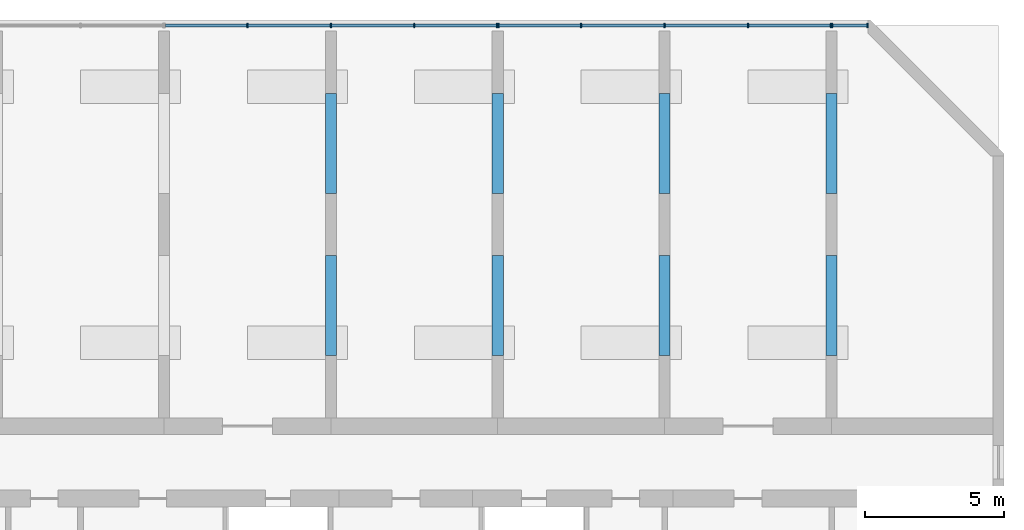
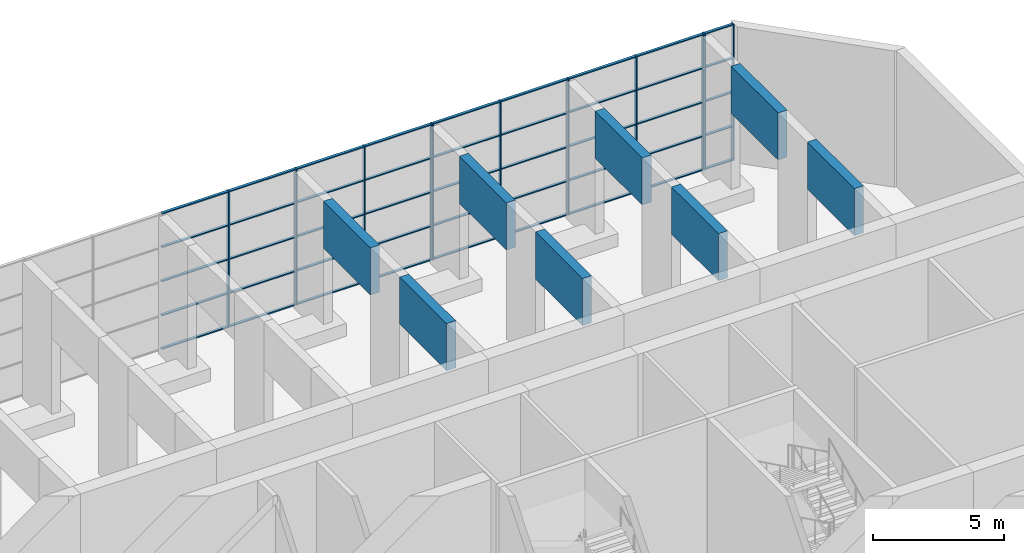
# One storey, part 3 of 15: 56 members, 8 beams, 3 elements without a shape of their own.
"""IFC4 building model written with IfcOpenShell, lengths in metres."""

from ifc_helpers import new_model, si_unit, direction, frame, origin, origin_2d, place, context, subcontext, project, spatial, rectangle, extrude, source, transform, mapped, material, layer, layer_set, material_profile, profile_set, type_object, element, aggregate, save


model = new_model("IFC4")

# Units and contexts
model_context = context("Model", 3, precision=1e-05, world=origin(), true_north=direction((0.0, 1.0)))
body_context = subcontext(model_context, "Body", "Model", "MODEL_VIEW")
ifc_project = project(units=[si_unit("LENGTHUNIT", "METRE"), si_unit("AREAUNIT", "SQUARE_METRE"), si_unit("VOLUMEUNIT", "CUBIC_METRE"), si_unit("PLANEANGLEUNIT", "RADIAN"), si_unit("MASSUNIT", "GRAM", prefix="KILO")], contexts=[model_context])

# Site, building, storey
site_placement = place(None, origin())
site = spatial("IfcSite", under=ifc_project, at=site_placement, CompositionType="ELEMENT")
building_placement = place(site_placement, origin())
building = spatial("IfcBuilding", under=site, at=building_placement, Name="Poui Terraces", CompositionType="ELEMENT")
storey_placement = place(building_placement, frame((0.0, 0.0, 66.300048828125)))
storey = spatial("IfcBuildingStorey", under=building, at=storey_placement, Name="L18", CompositionType="ELEMENT", Elevation=66.300048828125)

# Curtain wall, members
ifc_material_1 = material(Name="Clear glass", Category="glass")
ifc_layer = layer(ifc_material_1, 0.159912109375)
ifc_layer_set = layer_set([ifc_layer], Name="Clear glass")
curtain_wall_type = type_object("IfcCurtainWallType", Name="CURTAIN WALL CW-D SKY GARDEN GLAZING", PredefinedType="NOTDEFINED", material=ifc_layer_set)
curtain_wall_1_placement = place(storey_placement, origin())
curtain_wall_1 = element("IfcCurtainWall", 1, at=curtain_wall_1_placement, inside=storey, type_object=curtain_wall_type, Name="CW-D SKY GARDEN GLAZING", PredefinedType="NOTDEFINED")
ifc_material_2 = material(Name="Aluminium frame", Category="aluminium")
ifc_material_profile_1 = material_profile(ifc_material_2, rectangle(XDim=0.159912109375, YDim=0.050048828125, at=origin_2d()), Name="CW-D MULLION 50X160")
ifc_profile_set_1 = profile_set([ifc_material_profile_1], Name="Aluminium frame")
member_type_1 = type_object("IfcMemberType", Name="CW-D MULLION 50X160", PredefinedType="MULLION", material=ifc_profile_set_1)
member_1_placement = place(storey_placement, frame((77.97509765625, 44.800048828125, 0.0), z_axis=(0.0, 0.0, 1.0), x_axis=(0.0, -1.0, 0.0)))
member_1 = element("IfcMember", 2, at=member_1_placement, type_object=member_type_1, Name="CW-D mullion 1", PredefinedType="MULLION", context=body_context, shape_type="SweptSolid", body=[
    extrude(rectangle(XDim=0.159912109375, YDim=0.050048828125, at=origin_2d()), origin(), (0.0, 0.0, 1.0), 6.35986328125),
])
member_2_placement = place(storey_placement, frame((75.0, 44.800048828125, 0.0), z_axis=(0.0, 0.0, 1.0), x_axis=(0.0, -1.0, 0.0)))
member_2 = element("IfcMember", 3, at=member_2_placement, type_object=member_type_1, Name="CW-D mullion 2", PredefinedType="MULLION", context=body_context, shape_type="SweptSolid", body=[
    extrude(rectangle(XDim=0.159912109375, YDim=0.050048828125, at=origin_2d()), origin(), (0.0, 0.0, 1.0), 6.35986328125),
])
member_3_placement = place(storey_placement, frame((72.0, 44.800048828125, 0.0), z_axis=(0.0, 0.0, 1.0), x_axis=(0.0, -1.0, 0.0)))
member_3 = element("IfcMember", 4, at=member_3_placement, type_object=member_type_1, Name="CW-D mullion 3", PredefinedType="MULLION", context=body_context, shape_type="SweptSolid", body=[
    extrude(rectangle(XDim=0.159912109375, YDim=0.050048828125, at=origin_2d()), origin(), (0.0, 0.0, 1.0), 6.35986328125),
])
member_4_placement = place(storey_placement, frame((69.0, 44.800048828125, 0.0), z_axis=(0.0, 0.0, 1.0), x_axis=(0.0, -1.0, 0.0)))
member_4 = element("IfcMember", 5, at=member_4_placement, type_object=member_type_1, Name="CW-D mullion 4", PredefinedType="MULLION", context=body_context, shape_type="SweptSolid", body=[
    extrude(rectangle(XDim=0.159912109375, YDim=0.050048828125, at=origin_2d()), origin(), (0.0, 0.0, 1.0), 6.35986328125),
])

curtain_wall_2_placement = place(storey_placement, origin())
curtain_wall_2 = element("IfcCurtainWall", 6, at=curtain_wall_2_placement, inside=storey, type_object=curtain_wall_type, Name="CW-D SKY GARDEN GLAZING", PredefinedType="NOTDEFINED")
member_5_placement = place(storey_placement, frame((89.97509765625, 44.800048828125, 0.0), z_axis=(0.0, 0.0, 1.0), x_axis=(0.0, -1.0, 0.0)))
member_5 = element("IfcMember", 7, at=member_5_placement, type_object=member_type_1, Name="CW-D mullion 1", PredefinedType="MULLION", context=body_context, shape_type="SweptSolid", body=[
    extrude(rectangle(XDim=0.159912109375, YDim=0.050048828125, at=origin_2d()), origin(), (0.0, 0.0, 1.0), 6.35986328125),
])
member_6_placement = place(storey_placement, frame((87.0, 44.800048828125, 0.0), z_axis=(0.0, 0.0, 1.0), x_axis=(0.0, -1.0, 0.0)))
member_6 = element("IfcMember", 8, at=member_6_placement, type_object=member_type_1, Name="CW-D mullion 2", PredefinedType="MULLION", context=body_context, shape_type="SweptSolid", body=[
    extrude(rectangle(XDim=0.159912109375, YDim=0.050048828125, at=origin_2d()), origin(), (0.0, 0.0, 1.0), 6.35986328125),
])
member_7_placement = place(storey_placement, frame((84.0, 44.800048828125, 0.0), z_axis=(0.0, 0.0, 1.0), x_axis=(0.0, -1.0, 0.0)))
member_7 = element("IfcMember", 9, at=member_7_placement, type_object=member_type_1, Name="CW-D mullion 3", PredefinedType="MULLION", context=body_context, shape_type="SweptSolid", body=[
    extrude(rectangle(XDim=0.159912109375, YDim=0.050048828125, at=origin_2d()), origin(), (0.0, 0.0, 1.0), 6.35986328125),
])
member_8_placement = place(storey_placement, frame((81.0, 44.800048828125, 0.0), z_axis=(0.0, 0.0, 1.0), x_axis=(0.0, -1.0, 0.0)))
member_8 = element("IfcMember", 10, at=member_8_placement, type_object=member_type_1, Name="CW-D mullion 4", PredefinedType="MULLION", context=body_context, shape_type="SweptSolid", body=[
    extrude(rectangle(XDim=0.159912109375, YDim=0.050048828125, at=origin_2d()), origin(), (0.0, 0.0, 1.0), 6.35986328125),
])
member_9_placement = place(storey_placement, frame((78.02490234375, 44.800048828125, 0.0), z_axis=(0.0, 0.0, 1.0), x_axis=(0.0, -1.0, 0.0)))
member_9 = element("IfcMember", 11, at=member_9_placement, type_object=member_type_1, Name="CW-D mullion 5", PredefinedType="MULLION", context=body_context, shape_type="SweptSolid", body=[
    extrude(rectangle(XDim=0.159912109375, YDim=0.050048828125, at=origin_2d()), origin(), (0.0, 0.0, 1.0), 6.35986328125),
])

curtain_wall_3_placement = place(storey_placement, origin())
curtain_wall_3 = element("IfcCurtainWall", 12, at=curtain_wall_3_placement, inside=storey, type_object=curtain_wall_type, Name="CW-D SKY GARDEN GLAZING", PredefinedType="NOTDEFINED")
member_10_placement = place(storey_placement, frame((91.292236328125, 44.800048828125, 0.0), z_axis=(0.0, 0.0, 1.0), x_axis=(0.0, -1.0, 0.0)))
member_10 = element("IfcMember", 13, at=member_10_placement, type_object=member_type_1, Name="CW-D mullion 1", PredefinedType="MULLION", context=body_context, shape_type="SweptSolid", body=[
    extrude(rectangle(XDim=0.159912109375, YDim=0.050048828125, at=origin_2d()), origin(), (0.0, 0.0, 1.0), 6.35986328125),
])
member_11_placement = place(storey_placement, frame((90.02490234375, 44.800048828125, 0.0), z_axis=(0.0, 0.0, 1.0), x_axis=(0.0, -1.0, 0.0)))
member_11 = element("IfcMember", 14, at=member_11_placement, type_object=member_type_1, Name="CW-D mullion 2", PredefinedType="MULLION", context=body_context, shape_type="SweptSolid", body=[
    extrude(rectangle(XDim=0.159912109375, YDim=0.050048828125, at=origin_2d()), origin(), (0.0, 0.0, 1.0), 6.35986328125),
])

# Member
ifc_material_profile_2 = material_profile(ifc_material_2, rectangle(XDim=0.1201171875, YDim=0.050048828125, at=origin_2d()), Name="CW-D TRANSOM 50X120")
ifc_profile_set_2 = profile_set([ifc_material_profile_2], Name="Aluminium frame")
member_type_2 = type_object("IfcMemberType", Name="CW-D TRANSOM 50X120", PredefinedType="USERDEFINED", material=ifc_profile_set_2)
member_12_placement = place(storey_placement, frame((77.949951171875, 44.800048828125, 0.02490234375), z_axis=(-1.0, 0.0, 0.0), x_axis=(0.0, -1.0, 0.0)))
member_12 = element("IfcMember", 15, at=member_12_placement, type_object=member_type_2, Name="CW-D transom 1.1", ObjectType="TRANSOM", PredefinedType="USERDEFINED", context=body_context, shape_type="SweptSolid", body=[
    extrude(rectangle(XDim=0.1201171875, YDim=0.050048828125, at=origin_2d()), origin(), (0.0, 0.0, 1.0), 2.925048828125),
])

member_13_placement = place(storey_placement, frame((77.949951171875, 44.800048828125, 1.58984375), z_axis=(-1.0, 0.0, 0.0), x_axis=(0.0, -1.0, 0.0)))
member_13 = element("IfcMember", 16, at=member_13_placement, type_object=member_type_2, Name="CW-D transom 1.2", ObjectType="TRANSOM", PredefinedType="USERDEFINED", context=body_context, shape_type="SweptSolid", body=[
    extrude(rectangle(XDim=0.1201171875, YDim=0.050048828125, at=origin_2d()), origin(), (0.0, 0.0, 1.0), 2.925048828125),
])

member_14_placement = place(storey_placement, frame((77.949951171875, 44.800048828125, 3.179931640625), z_axis=(-1.0, 0.0, 0.0), x_axis=(0.0, -1.0, 0.0)))
member_14 = element("IfcMember", 17, at=member_14_placement, type_object=member_type_2, Name="CW-D transom 1.3", ObjectType="TRANSOM", PredefinedType="USERDEFINED", context=body_context, shape_type="SweptSolid", body=[
    extrude(rectangle(XDim=0.1201171875, YDim=0.050048828125, at=origin_2d()), origin(), (0.0, 0.0, 1.0), 2.925048828125),
])

member_15_placement = place(storey_placement, frame((77.949951171875, 44.800048828125, 4.77001953125), z_axis=(-1.0, 0.0, 0.0), x_axis=(0.0, -1.0, 0.0)))
member_15 = element("IfcMember", 18, at=member_15_placement, type_object=member_type_2, Name="CW-D transom 1.4", ObjectType="TRANSOM", PredefinedType="USERDEFINED", context=body_context, shape_type="SweptSolid", body=[
    extrude(rectangle(XDim=0.1201171875, YDim=0.050048828125, at=origin_2d()), origin(), (0.0, 0.0, 1.0), 2.925048828125),
])

member_16_placement = place(storey_placement, frame((77.949951171875, 44.800048828125, 6.3349609375), z_axis=(-1.0, 0.0, 0.0), x_axis=(0.0, -1.0, 0.0)))
member_16 = element("IfcMember", 19, at=member_16_placement, type_object=member_type_2, Name="CW-D transom 1.5", ObjectType="TRANSOM", PredefinedType="USERDEFINED", context=body_context, shape_type="SweptSolid", body=[
    extrude(rectangle(XDim=0.1201171875, YDim=0.050048828125, at=origin_2d()), origin(), (0.0, 0.0, 1.0), 2.925048828125),
])

member_17_placement = place(storey_placement, frame((74.97509765625, 44.800048828125, 0.02490234375), z_axis=(-1.0, 0.0, 0.0), x_axis=(0.0, -1.0, 0.0)))
member_17 = element("IfcMember", 20, at=member_17_placement, type_object=member_type_2, Name="CW-D transom 2.1", ObjectType="TRANSOM", PredefinedType="USERDEFINED", context=body_context, shape_type="SweptSolid", body=[
    extrude(rectangle(XDim=0.1201171875, YDim=0.050048828125, at=origin_2d()), origin(), (0.0, 0.0, 1.0), 2.9501953125),
])

member_18_placement = place(storey_placement, frame((74.97509765625, 44.800048828125, 1.58984375), z_axis=(-1.0, 0.0, 0.0), x_axis=(0.0, -1.0, 0.0)))
member_18 = element("IfcMember", 21, at=member_18_placement, type_object=member_type_2, Name="CW-D transom 2.2", ObjectType="TRANSOM", PredefinedType="USERDEFINED", context=body_context, shape_type="SweptSolid", body=[
    extrude(rectangle(XDim=0.1201171875, YDim=0.050048828125, at=origin_2d()), origin(), (0.0, 0.0, 1.0), 2.9501953125),
])

member_19_placement = place(storey_placement, frame((74.97509765625, 44.800048828125, 3.179931640625), z_axis=(-1.0, 0.0, 0.0), x_axis=(0.0, -1.0, 0.0)))
member_19 = element("IfcMember", 22, at=member_19_placement, type_object=member_type_2, Name="CW-D transom 2.3", ObjectType="TRANSOM", PredefinedType="USERDEFINED", context=body_context, shape_type="SweptSolid", body=[
    extrude(rectangle(XDim=0.1201171875, YDim=0.050048828125, at=origin_2d()), origin(), (0.0, 0.0, 1.0), 2.9501953125),
])

member_20_placement = place(storey_placement, frame((74.97509765625, 44.800048828125, 4.77001953125), z_axis=(-1.0, 0.0, 0.0), x_axis=(0.0, -1.0, 0.0)))
member_20 = element("IfcMember", 23, at=member_20_placement, type_object=member_type_2, Name="CW-D transom 2.4", ObjectType="TRANSOM", PredefinedType="USERDEFINED", context=body_context, shape_type="SweptSolid", body=[
    extrude(rectangle(XDim=0.1201171875, YDim=0.050048828125, at=origin_2d()), origin(), (0.0, 0.0, 1.0), 2.9501953125),
])

member_21_placement = place(storey_placement, frame((74.97509765625, 44.800048828125, 6.3349609375), z_axis=(-1.0, 0.0, 0.0), x_axis=(0.0, -1.0, 0.0)))
member_21 = element("IfcMember", 24, at=member_21_placement, type_object=member_type_2, Name="CW-D transom 2.5", ObjectType="TRANSOM", PredefinedType="USERDEFINED", context=body_context, shape_type="SweptSolid", body=[
    extrude(rectangle(XDim=0.1201171875, YDim=0.050048828125, at=origin_2d()), origin(), (0.0, 0.0, 1.0), 2.9501953125),
])

member_22_placement = place(storey_placement, frame((71.97509765625, 44.800048828125, 0.02490234375), z_axis=(-1.0, 0.0, 0.0), x_axis=(0.0, -1.0, 0.0)))
member_22 = element("IfcMember", 25, at=member_22_placement, type_object=member_type_2, Name="CW-D transom 3.1", ObjectType="TRANSOM", PredefinedType="USERDEFINED", context=body_context, shape_type="SweptSolid", body=[
    extrude(rectangle(XDim=0.1201171875, YDim=0.050048828125, at=origin_2d()), origin(), (0.0, 0.0, 1.0), 2.9501953125),
])

member_23_placement = place(storey_placement, frame((71.97509765625, 44.800048828125, 1.58984375), z_axis=(-1.0, 0.0, 0.0), x_axis=(0.0, -1.0, 0.0)))
member_23 = element("IfcMember", 26, at=member_23_placement, type_object=member_type_2, Name="CW-D transom 3.2", ObjectType="TRANSOM", PredefinedType="USERDEFINED", context=body_context, shape_type="SweptSolid", body=[
    extrude(rectangle(XDim=0.1201171875, YDim=0.050048828125, at=origin_2d()), origin(), (0.0, 0.0, 1.0), 2.9501953125),
])

member_24_placement = place(storey_placement, frame((71.97509765625, 44.800048828125, 3.179931640625), z_axis=(-1.0, 0.0, 0.0), x_axis=(0.0, -1.0, 0.0)))
member_24 = element("IfcMember", 27, at=member_24_placement, type_object=member_type_2, Name="CW-D transom 3.3", ObjectType="TRANSOM", PredefinedType="USERDEFINED", context=body_context, shape_type="SweptSolid", body=[
    extrude(rectangle(XDim=0.1201171875, YDim=0.050048828125, at=origin_2d()), origin(), (0.0, 0.0, 1.0), 2.9501953125),
])

member_25_placement = place(storey_placement, frame((71.97509765625, 44.800048828125, 4.77001953125), z_axis=(-1.0, 0.0, 0.0), x_axis=(0.0, -1.0, 0.0)))
member_25 = element("IfcMember", 28, at=member_25_placement, type_object=member_type_2, Name="CW-D transom 3.4", ObjectType="TRANSOM", PredefinedType="USERDEFINED", context=body_context, shape_type="SweptSolid", body=[
    extrude(rectangle(XDim=0.1201171875, YDim=0.050048828125, at=origin_2d()), origin(), (0.0, 0.0, 1.0), 2.9501953125),
])

member_26_placement = place(storey_placement, frame((71.97509765625, 44.800048828125, 6.3349609375), z_axis=(-1.0, 0.0, 0.0), x_axis=(0.0, -1.0, 0.0)))
member_26 = element("IfcMember", 29, at=member_26_placement, type_object=member_type_2, Name="CW-D transom 3.5", ObjectType="TRANSOM", PredefinedType="USERDEFINED", context=body_context, shape_type="SweptSolid", body=[
    extrude(rectangle(XDim=0.1201171875, YDim=0.050048828125, at=origin_2d()), origin(), (0.0, 0.0, 1.0), 2.9501953125),
])

member_27_placement = place(storey_placement, frame((68.97509765625, 44.800048828125, 0.02490234375), z_axis=(-1.0, 0.0, 0.0), x_axis=(0.0, -1.0, 0.0)))
member_27 = element("IfcMember", 30, at=member_27_placement, type_object=member_type_2, Name="CW-D transom 4.1", ObjectType="TRANSOM", PredefinedType="USERDEFINED", context=body_context, shape_type="SweptSolid", body=[
    extrude(rectangle(XDim=0.1201171875, YDim=0.050048828125, at=origin_2d()), origin(), (0.0, 0.0, 1.0), 2.925048828125),
])

member_28_placement = place(storey_placement, frame((68.97509765625, 44.800048828125, 1.58984375), z_axis=(-1.0, 0.0, 0.0), x_axis=(0.0, -1.0, 0.0)))
member_28 = element("IfcMember", 31, at=member_28_placement, type_object=member_type_2, Name="CW-D transom 4.2", ObjectType="TRANSOM", PredefinedType="USERDEFINED", context=body_context, shape_type="SweptSolid", body=[
    extrude(rectangle(XDim=0.1201171875, YDim=0.050048828125, at=origin_2d()), origin(), (0.0, 0.0, 1.0), 2.925048828125),
])

member_29_placement = place(storey_placement, frame((68.97509765625, 44.800048828125, 3.179931640625), z_axis=(-1.0, 0.0, 0.0), x_axis=(0.0, -1.0, 0.0)))
member_29 = element("IfcMember", 32, at=member_29_placement, type_object=member_type_2, Name="CW-D transom 4.3", ObjectType="TRANSOM", PredefinedType="USERDEFINED", context=body_context, shape_type="SweptSolid", body=[
    extrude(rectangle(XDim=0.1201171875, YDim=0.050048828125, at=origin_2d()), origin(), (0.0, 0.0, 1.0), 2.925048828125),
])

member_30_placement = place(storey_placement, frame((68.97509765625, 44.800048828125, 4.77001953125), z_axis=(-1.0, 0.0, 0.0), x_axis=(0.0, -1.0, 0.0)))
member_30 = element("IfcMember", 33, at=member_30_placement, type_object=member_type_2, Name="CW-D transom 4.4", ObjectType="TRANSOM", PredefinedType="USERDEFINED", context=body_context, shape_type="SweptSolid", body=[
    extrude(rectangle(XDim=0.1201171875, YDim=0.050048828125, at=origin_2d()), origin(), (0.0, 0.0, 1.0), 2.925048828125),
])

member_31_placement = place(storey_placement, frame((68.97509765625, 44.800048828125, 6.3349609375), z_axis=(-1.0, 0.0, 0.0), x_axis=(0.0, -1.0, 0.0)))
member_31 = element("IfcMember", 34, at=member_31_placement, type_object=member_type_2, Name="CW-D transom 4.5", ObjectType="TRANSOM", PredefinedType="USERDEFINED", context=body_context, shape_type="SweptSolid", body=[
    extrude(rectangle(XDim=0.1201171875, YDim=0.050048828125, at=origin_2d()), origin(), (0.0, 0.0, 1.0), 2.925048828125),
])

aggregate(curtain_wall_1, [member_1, member_2, member_3, member_4, member_12, member_13, member_14, member_15, member_16, member_17, member_18, member_19, member_20, member_21, member_22, member_23, member_24, member_25, member_26, member_27, member_28, member_29, member_30, member_31])

member_32_placement = place(storey_placement, frame((89.949951171875, 44.800048828125, 0.02490234375), z_axis=(-1.0, 0.0, 0.0), x_axis=(0.0, -1.0, 0.0)))
member_32 = element("IfcMember", 35, at=member_32_placement, type_object=member_type_2, Name="CW-D transom 1.1", ObjectType="TRANSOM", PredefinedType="USERDEFINED", context=body_context, shape_type="SweptSolid", body=[
    extrude(rectangle(XDim=0.1201171875, YDim=0.050048828125, at=origin_2d()), origin(), (0.0, 0.0, 1.0), 2.925048828125),
])

member_33_placement = place(storey_placement, frame((89.949951171875, 44.800048828125, 1.58984375), z_axis=(-1.0, 0.0, 0.0), x_axis=(0.0, -1.0, 0.0)))
member_33 = element("IfcMember", 36, at=member_33_placement, type_object=member_type_2, Name="CW-D transom 1.2", ObjectType="TRANSOM", PredefinedType="USERDEFINED", context=body_context, shape_type="SweptSolid", body=[
    extrude(rectangle(XDim=0.1201171875, YDim=0.050048828125, at=origin_2d()), origin(), (0.0, 0.0, 1.0), 2.925048828125),
])

member_34_placement = place(storey_placement, frame((89.949951171875, 44.800048828125, 3.179931640625), z_axis=(-1.0, 0.0, 0.0), x_axis=(0.0, -1.0, 0.0)))
member_34 = element("IfcMember", 37, at=member_34_placement, type_object=member_type_2, Name="CW-D transom 1.3", ObjectType="TRANSOM", PredefinedType="USERDEFINED", context=body_context, shape_type="SweptSolid", body=[
    extrude(rectangle(XDim=0.1201171875, YDim=0.050048828125, at=origin_2d()), origin(), (0.0, 0.0, 1.0), 2.925048828125),
])

member_35_placement = place(storey_placement, frame((89.949951171875, 44.800048828125, 4.77001953125), z_axis=(-1.0, 0.0, 0.0), x_axis=(0.0, -1.0, 0.0)))
member_35 = element("IfcMember", 38, at=member_35_placement, type_object=member_type_2, Name="CW-D transom 1.4", ObjectType="TRANSOM", PredefinedType="USERDEFINED", context=body_context, shape_type="SweptSolid", body=[
    extrude(rectangle(XDim=0.1201171875, YDim=0.050048828125, at=origin_2d()), origin(), (0.0, 0.0, 1.0), 2.925048828125),
])

member_36_placement = place(storey_placement, frame((89.949951171875, 44.800048828125, 6.3349609375), z_axis=(-1.0, 0.0, 0.0), x_axis=(0.0, -1.0, 0.0)))
member_36 = element("IfcMember", 39, at=member_36_placement, type_object=member_type_2, Name="CW-D transom 1.5", ObjectType="TRANSOM", PredefinedType="USERDEFINED", context=body_context, shape_type="SweptSolid", body=[
    extrude(rectangle(XDim=0.1201171875, YDim=0.050048828125, at=origin_2d()), origin(), (0.0, 0.0, 1.0), 2.925048828125),
])

member_37_placement = place(storey_placement, frame((86.97509765625, 44.800048828125, 0.02490234375), z_axis=(-1.0, 0.0, 0.0), x_axis=(0.0, -1.0, 0.0)))
member_37 = element("IfcMember", 40, at=member_37_placement, type_object=member_type_2, Name="CW-D transom 2.1", ObjectType="TRANSOM", PredefinedType="USERDEFINED", context=body_context, shape_type="SweptSolid", body=[
    extrude(rectangle(XDim=0.1201171875, YDim=0.050048828125, at=origin_2d()), origin(), (0.0, 0.0, 1.0), 2.9501953125),
])

member_38_placement = place(storey_placement, frame((86.97509765625, 44.800048828125, 1.58984375), z_axis=(-1.0, 0.0, 0.0), x_axis=(0.0, -1.0, 0.0)))
member_38 = element("IfcMember", 41, at=member_38_placement, type_object=member_type_2, Name="CW-D transom 2.2", ObjectType="TRANSOM", PredefinedType="USERDEFINED", context=body_context, shape_type="SweptSolid", body=[
    extrude(rectangle(XDim=0.1201171875, YDim=0.050048828125, at=origin_2d()), origin(), (0.0, 0.0, 1.0), 2.9501953125),
])

member_39_placement = place(storey_placement, frame((86.97509765625, 44.800048828125, 3.179931640625), z_axis=(-1.0, 0.0, 0.0), x_axis=(0.0, -1.0, 0.0)))
member_39 = element("IfcMember", 42, at=member_39_placement, type_object=member_type_2, Name="CW-D transom 2.3", ObjectType="TRANSOM", PredefinedType="USERDEFINED", context=body_context, shape_type="SweptSolid", body=[
    extrude(rectangle(XDim=0.1201171875, YDim=0.050048828125, at=origin_2d()), origin(), (0.0, 0.0, 1.0), 2.9501953125),
])

member_40_placement = place(storey_placement, frame((86.97509765625, 44.800048828125, 4.77001953125), z_axis=(-1.0, 0.0, 0.0), x_axis=(0.0, -1.0, 0.0)))
member_40 = element("IfcMember", 43, at=member_40_placement, type_object=member_type_2, Name="CW-D transom 2.4", ObjectType="TRANSOM", PredefinedType="USERDEFINED", context=body_context, shape_type="SweptSolid", body=[
    extrude(rectangle(XDim=0.1201171875, YDim=0.050048828125, at=origin_2d()), origin(), (0.0, 0.0, 1.0), 2.9501953125),
])

member_41_placement = place(storey_placement, frame((86.97509765625, 44.800048828125, 6.3349609375), z_axis=(-1.0, 0.0, 0.0), x_axis=(0.0, -1.0, 0.0)))
member_41 = element("IfcMember", 44, at=member_41_placement, type_object=member_type_2, Name="CW-D transom 2.5", ObjectType="TRANSOM", PredefinedType="USERDEFINED", context=body_context, shape_type="SweptSolid", body=[
    extrude(rectangle(XDim=0.1201171875, YDim=0.050048828125, at=origin_2d()), origin(), (0.0, 0.0, 1.0), 2.9501953125),
])

member_42_placement = place(storey_placement, frame((83.97509765625, 44.800048828125, 0.02490234375), z_axis=(-1.0, 0.0, 0.0), x_axis=(0.0, -1.0, 0.0)))
member_42 = element("IfcMember", 45, at=member_42_placement, type_object=member_type_2, Name="CW-D transom 3.1", ObjectType="TRANSOM", PredefinedType="USERDEFINED", context=body_context, shape_type="SweptSolid", body=[
    extrude(rectangle(XDim=0.1201171875, YDim=0.050048828125, at=origin_2d()), origin(), (0.0, 0.0, 1.0), 2.9501953125),
])

member_43_placement = place(storey_placement, frame((83.97509765625, 44.800048828125, 1.58984375), z_axis=(-1.0, 0.0, 0.0), x_axis=(0.0, -1.0, 0.0)))
member_43 = element("IfcMember", 46, at=member_43_placement, type_object=member_type_2, Name="CW-D transom 3.2", ObjectType="TRANSOM", PredefinedType="USERDEFINED", context=body_context, shape_type="SweptSolid", body=[
    extrude(rectangle(XDim=0.1201171875, YDim=0.050048828125, at=origin_2d()), origin(), (0.0, 0.0, 1.0), 2.9501953125),
])

member_44_placement = place(storey_placement, frame((83.97509765625, 44.800048828125, 3.179931640625), z_axis=(-1.0, 0.0, 0.0), x_axis=(0.0, -1.0, 0.0)))
member_44 = element("IfcMember", 47, at=member_44_placement, type_object=member_type_2, Name="CW-D transom 3.3", ObjectType="TRANSOM", PredefinedType="USERDEFINED", context=body_context, shape_type="SweptSolid", body=[
    extrude(rectangle(XDim=0.1201171875, YDim=0.050048828125, at=origin_2d()), origin(), (0.0, 0.0, 1.0), 2.9501953125),
])

member_45_placement = place(storey_placement, frame((83.97509765625, 44.800048828125, 4.77001953125), z_axis=(-1.0, 0.0, 0.0), x_axis=(0.0, -1.0, 0.0)))
member_45 = element("IfcMember", 48, at=member_45_placement, type_object=member_type_2, Name="CW-D transom 3.4", ObjectType="TRANSOM", PredefinedType="USERDEFINED", context=body_context, shape_type="SweptSolid", body=[
    extrude(rectangle(XDim=0.1201171875, YDim=0.050048828125, at=origin_2d()), origin(), (0.0, 0.0, 1.0), 2.9501953125),
])

member_46_placement = place(storey_placement, frame((83.97509765625, 44.800048828125, 6.3349609375), z_axis=(-1.0, 0.0, 0.0), x_axis=(0.0, -1.0, 0.0)))
member_46 = element("IfcMember", 49, at=member_46_placement, type_object=member_type_2, Name="CW-D transom 3.5", ObjectType="TRANSOM", PredefinedType="USERDEFINED", context=body_context, shape_type="SweptSolid", body=[
    extrude(rectangle(XDim=0.1201171875, YDim=0.050048828125, at=origin_2d()), origin(), (0.0, 0.0, 1.0), 2.9501953125),
])

member_47_placement = place(storey_placement, frame((80.97509765625, 44.800048828125, 0.02490234375), z_axis=(-1.0, 0.0, 0.0), x_axis=(0.0, -1.0, 0.0)))
member_47 = element("IfcMember", 50, at=member_47_placement, type_object=member_type_2, Name="CW-D transom 4.1", ObjectType="TRANSOM", PredefinedType="USERDEFINED", context=body_context, shape_type="SweptSolid", body=[
    extrude(rectangle(XDim=0.1201171875, YDim=0.050048828125, at=origin_2d()), origin(), (0.0, 0.0, 1.0), 2.925048828125),
])

member_48_placement = place(storey_placement, frame((80.97509765625, 44.800048828125, 1.58984375), z_axis=(-1.0, 0.0, 0.0), x_axis=(0.0, -1.0, 0.0)))
member_48 = element("IfcMember", 51, at=member_48_placement, type_object=member_type_2, Name="CW-D transom 4.2", ObjectType="TRANSOM", PredefinedType="USERDEFINED", context=body_context, shape_type="SweptSolid", body=[
    extrude(rectangle(XDim=0.1201171875, YDim=0.050048828125, at=origin_2d()), origin(), (0.0, 0.0, 1.0), 2.925048828125),
])

member_49_placement = place(storey_placement, frame((80.97509765625, 44.800048828125, 3.179931640625), z_axis=(-1.0, 0.0, 0.0), x_axis=(0.0, -1.0, 0.0)))
member_49 = element("IfcMember", 52, at=member_49_placement, type_object=member_type_2, Name="CW-D transom 4.3", ObjectType="TRANSOM", PredefinedType="USERDEFINED", context=body_context, shape_type="SweptSolid", body=[
    extrude(rectangle(XDim=0.1201171875, YDim=0.050048828125, at=origin_2d()), origin(), (0.0, 0.0, 1.0), 2.925048828125),
])

member_50_placement = place(storey_placement, frame((80.97509765625, 44.800048828125, 4.77001953125), z_axis=(-1.0, 0.0, 0.0), x_axis=(0.0, -1.0, 0.0)))
member_50 = element("IfcMember", 53, at=member_50_placement, type_object=member_type_2, Name="CW-D transom 4.4", ObjectType="TRANSOM", PredefinedType="USERDEFINED", context=body_context, shape_type="SweptSolid", body=[
    extrude(rectangle(XDim=0.1201171875, YDim=0.050048828125, at=origin_2d()), origin(), (0.0, 0.0, 1.0), 2.925048828125),
])

member_51_placement = place(storey_placement, frame((80.97509765625, 44.800048828125, 6.3349609375), z_axis=(-1.0, 0.0, 0.0), x_axis=(0.0, -1.0, 0.0)))
member_51 = element("IfcMember", 54, at=member_51_placement, type_object=member_type_2, Name="CW-D transom 4.5", ObjectType="TRANSOM", PredefinedType="USERDEFINED", context=body_context, shape_type="SweptSolid", body=[
    extrude(rectangle(XDim=0.1201171875, YDim=0.050048828125, at=origin_2d()), origin(), (0.0, 0.0, 1.0), 2.925048828125),
])

aggregate(curtain_wall_2, [member_5, member_6, member_7, member_8, member_9, member_32, member_33, member_34, member_35, member_36, member_37, member_38, member_39, member_40, member_41, member_42, member_43, member_44, member_45, member_46, member_47, member_48, member_49, member_50, member_51])

member_52_placement = place(storey_placement, frame((91.26708984375, 44.800048828125, 0.02490234375), z_axis=(-1.0, 0.0, 0.0), x_axis=(0.0, -1.0, 0.0)))
member_52 = element("IfcMember", 55, at=member_52_placement, type_object=member_type_2, Name="CW-D transom 1.1", ObjectType="TRANSOM", PredefinedType="USERDEFINED", context=body_context, shape_type="SweptSolid", body=[
    extrude(rectangle(XDim=0.1201171875, YDim=0.050048828125, at=origin_2d()), origin(), (0.0, 0.0, 1.0), 1.217041015625),
])

member_53_placement = place(storey_placement, frame((91.26708984375, 44.800048828125, 1.58984375), z_axis=(-1.0, 0.0, 0.0), x_axis=(0.0, -1.0, 0.0)))
member_53 = element("IfcMember", 56, at=member_53_placement, type_object=member_type_2, Name="CW-D transom 1.2", ObjectType="TRANSOM", PredefinedType="USERDEFINED", context=body_context, shape_type="SweptSolid", body=[
    extrude(rectangle(XDim=0.1201171875, YDim=0.050048828125, at=origin_2d()), origin(), (0.0, 0.0, 1.0), 1.217041015625),
])

member_54_placement = place(storey_placement, frame((91.26708984375, 44.800048828125, 3.179931640625), z_axis=(-1.0, 0.0, 0.0), x_axis=(0.0, -1.0, 0.0)))
member_54 = element("IfcMember", 57, at=member_54_placement, type_object=member_type_2, Name="CW-D transom 1.3", ObjectType="TRANSOM", PredefinedType="USERDEFINED", context=body_context, shape_type="SweptSolid", body=[
    extrude(rectangle(XDim=0.1201171875, YDim=0.050048828125, at=origin_2d()), origin(), (0.0, 0.0, 1.0), 1.217041015625),
])

member_55_placement = place(storey_placement, frame((91.26708984375, 44.800048828125, 4.77001953125), z_axis=(-1.0, 0.0, 0.0), x_axis=(0.0, -1.0, 0.0)))
member_55 = element("IfcMember", 58, at=member_55_placement, type_object=member_type_2, Name="CW-D transom 1.4", ObjectType="TRANSOM", PredefinedType="USERDEFINED", context=body_context, shape_type="SweptSolid", body=[
    extrude(rectangle(XDim=0.1201171875, YDim=0.050048828125, at=origin_2d()), origin(), (0.0, 0.0, 1.0), 1.217041015625),
])

member_56_placement = place(storey_placement, frame((91.26708984375, 44.800048828125, 6.3349609375), z_axis=(-1.0, 0.0, 0.0), x_axis=(0.0, -1.0, 0.0)))
member_56 = element("IfcMember", 59, at=member_56_placement, type_object=member_type_2, Name="CW-D transom 1.5", ObjectType="TRANSOM", PredefinedType="USERDEFINED", context=body_context, shape_type="SweptSolid", body=[
    extrude(rectangle(XDim=0.1201171875, YDim=0.050048828125, at=origin_2d()), origin(), (0.0, 0.0, 1.0), 1.217041015625),
])

aggregate(curtain_wall_3, [member_10, member_11, member_52, member_53, member_54, member_55, member_56])

# Beams
ifc_material_3 = material(Name="Concrete 80 MPa", Category="concrete")
ifc_material_profile_3 = material_profile(ifc_material_3, rectangle(XDim=0.39990234375, YDim=2.199951171875, at=origin_2d()), Name="RC 400x2200")
ifc_profile_set_3 = profile_set([ifc_material_profile_3], Name="Concrete 80 MPa")
beam_type = type_object("IfcBeamType", Name="DEEP BEAM 400x2200 80MPa", PredefinedType="BEAM", material=ifc_profile_set_3)
shared_shape_1 = source(origin(), body_context, "Body", "SweptSolid", [
    extrude(rectangle(XDim=0.39990234375, YDim=2.199951171875, at=origin_2d()), origin(), (0.0, 0.0, 1.0), 3.599853515625),
])
for number, where, z_axis, x_axis, name in (
    (60, (72.0, 32.933349609375, 5.260009765625), (0.0, 1.0, 0.0), (-1.0, 0.0, 0.0), "DEEP BEAM LINE 13 1"),
    (61, (78.0, 32.933349609375, 5.260009765625), (0.0, 1.0, 0.0), (-1.0, 0.0, 0.0), "DEEP BEAM LINE 14 1"),
    (62, (84.0, 32.933349609375, 5.260009765625), (0.0, 1.0, 0.0), (-1.0, 0.0, 0.0), "DEEP BEAM LINE 15 1"),
    (63, (90.0, 32.933349609375, 5.260009765625), (0.0, 1.0, 0.0), (-1.0, 0.0, 0.0), "DEEP BEAM LINE 16 1"),
):
    element("IfcBeam", number, at=place(storey_placement, frame(where, z_axis=z_axis, x_axis=x_axis)), inside=storey, type_object=beam_type, Name=name, PredefinedType="BEAM", context=body_context, shape_type="MappedRepresentation", body=[
        mapped(shared_shape_1, transform((0.0, 0.0, 0.0))),
    ])
shared_shape_2 = source(origin(), body_context, "Body", "SweptSolid", [
    extrude(rectangle(XDim=0.39990234375, YDim=2.199951171875, at=origin_2d()), origin(), (0.0, 0.0, 1.0), 3.60009765625),
])
for number, where, z_axis, x_axis, name in (
    (64, (72.0, 38.7666015625, 5.260009765625), (0.0, 1.0, 0.0), (-1.0, 0.0, 0.0), "DEEP BEAM LINE 13 2"),
    (65, (78.0, 38.7666015625, 5.260009765625), (0.0, 1.0, 0.0), (-1.0, 0.0, 0.0), "DEEP BEAM LINE 14 2"),
    (66, (84.0, 38.7666015625, 5.260009765625), (0.0, 1.0, 0.0), (-1.0, 0.0, 0.0), "DEEP BEAM LINE 15 2"),
    (67, (90.0, 38.7666015625, 5.260009765625), (0.0, 1.0, 0.0), (-1.0, 0.0, 0.0), "DEEP BEAM LINE 16 2"),
):
    element("IfcBeam", number, at=place(storey_placement, frame(where, z_axis=z_axis, x_axis=x_axis)), inside=storey, type_object=beam_type, Name=name, PredefinedType="BEAM", context=body_context, shape_type="MappedRepresentation", body=[
        mapped(shared_shape_2, transform((0.0, 0.0, 0.0))),
    ])

save(model, "model.ifc")
